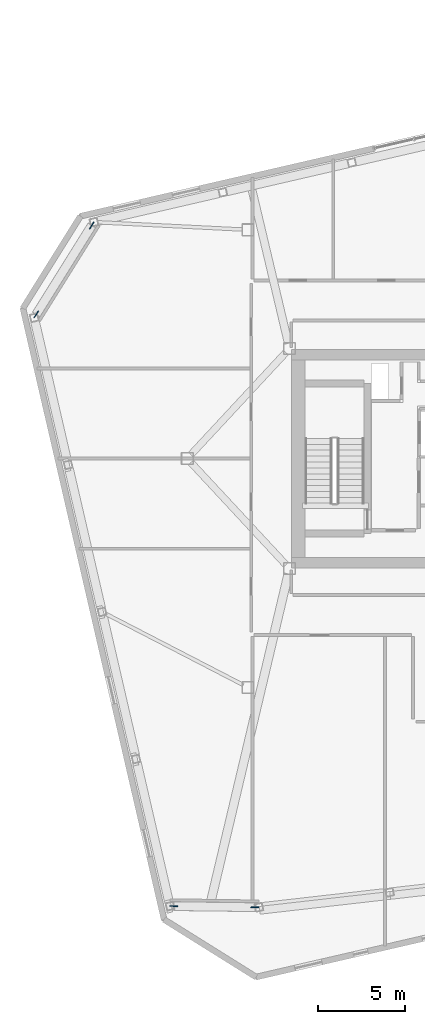
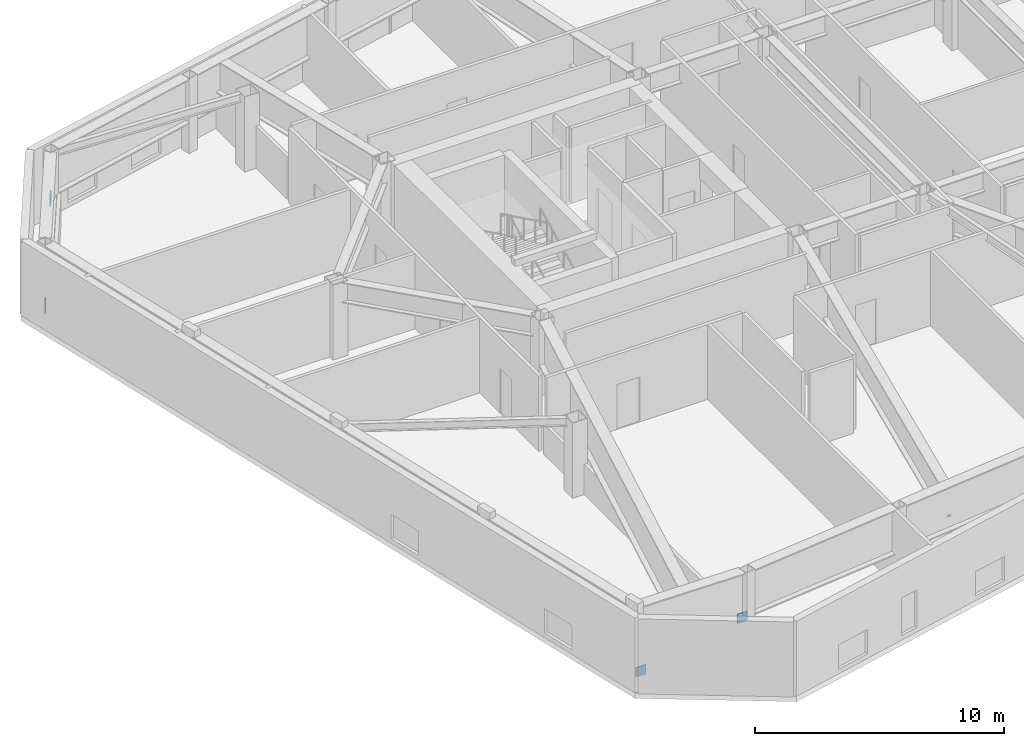
# One storey, part 21 of 23: 4 discrete accessories.
"""IFC4 building model written with IfcOpenShell, lengths in metres."""

from ifc_helpers import new_model, si_unit, direction, frame, origin, origin_2d, place, context, subcontext, project, spatial, rectangle, extrude, material, type_object, element, save


model = new_model("IFC4")

# Units and contexts
model_context = context("Model", 3, precision=1e-05, world=origin(), true_north=direction((0.0, 1.0)))
body_context = subcontext(model_context, "Body", "Model", "MODEL_VIEW")
ifc_project = project(units=[si_unit("LENGTHUNIT", "METRE"), si_unit("AREAUNIT", "SQUARE_METRE"), si_unit("VOLUMEUNIT", "CUBIC_METRE"), si_unit("PLANEANGLEUNIT", "RADIAN"), si_unit("MASSUNIT", "GRAM", prefix="KILO")], contexts=[model_context])

# Site, building, storey
site_placement = place(None, origin())
site = spatial("IfcSite", under=ifc_project, at=site_placement, CompositionType="ELEMENT")
building_placement = place(site_placement, origin())
building = spatial("IfcBuilding", under=site, at=building_placement, Name="Tavrogorsk Clinical Tower", CompositionType="ELEMENT")
storey_placement = place(building_placement, frame((0.0, 0.0, 329.0)))
storey = spatial("IfcBuildingStorey", under=building, at=storey_placement, Name="L77", CompositionType="ELEMENT", Elevation=329.0)

# Discrete accessories
ifc_material = material(Name="Structural steel S440", Category="steel")
discrete_accessory_type = type_object("IfcDiscreteAccessoryType", Name="GussetPlateBracket_25", PredefinedType="BRACKET", material=ifc_material)
for number, where, z_axis, x_axis, name in (
    (1, (-36.71435546875, 8.32275390625, 0.10986328125), (0.0, 0.0, 1.0), (0.529919264233, 0.848048096156, 0.0), "L77 Brace Gusset Plate EXOCRN-L77-3-A"),
    (2, (-33.51025390625, 13.4501953125, 1.16015625), (0.0, 0.0, 1.0), (0.529919264233, 0.848048096156, 0.0), "L77 Brace Gusset Plate EXOCRN-L77-3-B"),
    (3, (-28.77099609375, -25.822021484375, 0.1201171875), (0.0, 0.0, 1.0), (0.999914327574, -0.013089595571, 0.0), "L77 Brace Gusset Plate EXOCRN-L77-4-A"),
    (4, (-24.094482421875, -25.8828125, 1.14990234375), (0.0, 0.0, 1.0), (0.999914327574, -0.013089595571, 0.0), "L77 Brace Gusset Plate EXOCRN-L77-4-B"),
):
    element("IfcDiscreteAccessory", number, at=place(storey_placement, frame(where, z_axis=z_axis, x_axis=x_axis)), inside=storey, type_object=discrete_accessory_type, Name=name, PredefinedType="BRACKET", context=body_context, shape_type="SweptSolid", body=[
        extrude(rectangle(XDim=0.4599609375, YDim=0.0400390625, at=origin_2d()), origin(), (0.0, 0.0, 1.0), 0.4599609375),
    ])

save(model, "model.ifc")
